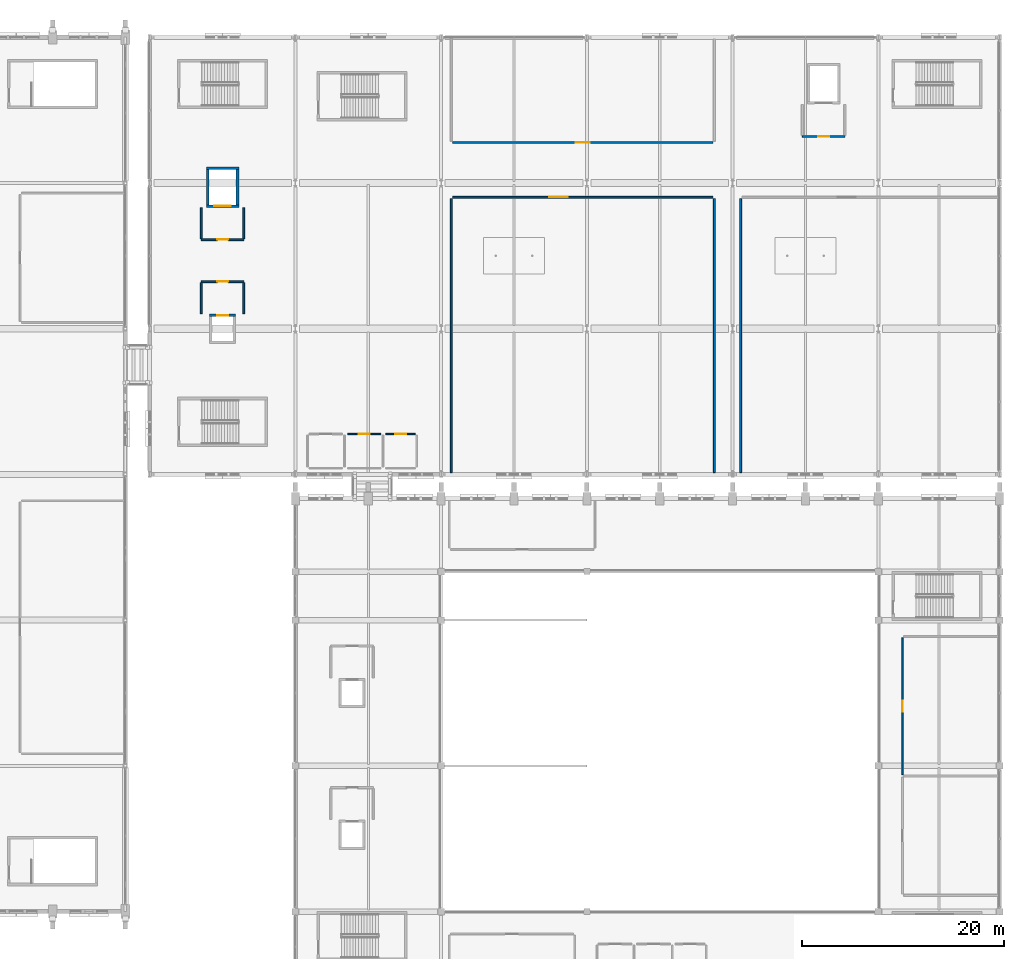
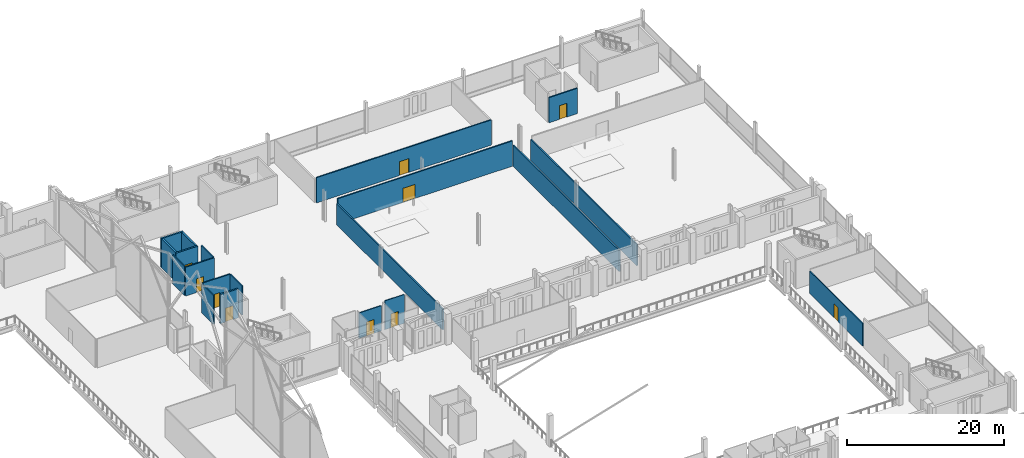
# One storey, part 167 of 220: 20 walls, 10 doors, 10 openings.
"""IFC4 building model written with IfcOpenShell, lengths in metres."""

from ifc_helpers import new_model, si_unit, direction, frame, frame_2d, origin, place, context, subcontext, project, spatial, rectangle, extrude, material, layer, layer_set, type_object, element, fill, save


model = new_model("IFC4")

# Units and contexts
model_context = context("Model", 3, precision=1e-05, world=origin(), true_north=direction((0.0, 1.0)))
body_context = subcontext(model_context, "Body", "Model", "MODEL_VIEW")
ifc_project = project(units=[si_unit("LENGTHUNIT", "METRE"), si_unit("AREAUNIT", "SQUARE_METRE"), si_unit("VOLUMEUNIT", "CUBIC_METRE"), si_unit("PLANEANGLEUNIT", "RADIAN"), si_unit("MASSUNIT", "GRAM", prefix="KILO")], contexts=[model_context])

# Site, building, storey
site_placement = place(None, origin())
site = spatial("IfcSite", under=ifc_project, at=site_placement, CompositionType="ELEMENT")
building_placement = place(site_placement, origin())
building = spatial("IfcBuilding", under=site, at=building_placement, Name="Cendralis Lancet Convention Centre", CompositionType="ELEMENT")
storey_placement = place(building_placement, frame((0.0, 0.0, 5.39990234375)))
storey = spatial("IfcBuildingStorey", under=building, at=storey_placement, Name="L01", CompositionType="ELEMENT", Elevation=5.39990234375)

# Wall, opening, door
ifc_material_1 = material(Name="Acoustic fire-rated gypsum board on steel studs", Category="steel")
ifc_layer_1 = layer(ifc_material_1, 0.1201171875, Name="Acoustic fire-rated gypsum board on steel studs")
ifc_layer_set_1 = layer_set([ifc_layer_1], Name="Acoustic fire-rated gypsum board on steel studs")
wall_type_1 = type_object("IfcWallType", Name="ARC-IW-P120", PredefinedType="PARTITIONING", material=ifc_layer_set_1)
wall_1_placement = place(storey_placement, frame((144.35009765625, 97.60009765625, 0.0), z_axis=(0.0, 0.0, 1.0), x_axis=(1.0, 0.0, 0.0)))
wall_1 = element("IfcWall", 1, at=wall_1_placement, inside=storey, type_object=wall_type_1, Name="L01 Interior Partition IW-05 #0172", PredefinedType="PARTITIONING", context=body_context, shape_type="SweptSolid", body=[
    extrude(rectangle(XDim=3.2998046875, YDim=0.1201171875, at=frame_2d((1.64990234375, 0.0))), origin(), (0.0, 0.0, 1.0), 3.93505859375),
])
opening_1_placement = place(wall_1_placement, frame((1.10009765625, 0.0, 0.0)))
opening_1 = element("IfcOpeningElement", 2, at=opening_1_placement, cuts=wall_1, Name="Opening FD-11", PredefinedType="OPENING", context=body_context, shape_type="SweptSolid", body=[
    extrude(rectangle(XDim=1.10009765625, YDim=2.14990234375, at=frame_2d((0.550048828125, 1.074951171875))), frame((0.0, 0.070068359375, 0.0), z_axis=(0.0, -1.0, 0.0), x_axis=(1.0, 0.0, 0.0)), (0.0, 0.0, 1.0), 0.14013671875),
])
ifc_material_2 = material(Name="Steel S355", Category="steel")
door_type_1 = type_object("IfcDoorType", Name="ARC-DR-FF11", OperationType="NOTDEFINED", PredefinedType="DOOR", material=ifc_material_2)
door_1_placement = place(opening_1_placement, frame((1.10009765625, 0.0, 0.0), z_axis=(0.0, 0.0, 1.0), x_axis=(-1.0, 0.0, 0.0)))
door_1 = element("IfcDoor", 3, at=door_1_placement, inside=storey, type_object=door_type_1, Name="L01-D022 L01 Interior Door FD-11 #0057", OperationType="SINGLE_SWING_RIGHT", OverallHeight=2.14990234375, OverallWidth=1.10009765625, PredefinedType="DOOR", context=body_context, shape_type="SweptSolid", body=[
    extrude(rectangle(XDim=1.10009765625, YDim=2.14990234375, at=frame_2d((0.550048828125, 1.074951171875))), frame((0.0, 0.02490234375, 0.0), z_axis=(0.0, -1.0, 0.0), x_axis=(1.0, 0.0, 0.0)), (0.0, 0.0, 1.0), 0.050048828125),
])
fill(opening_1, door_1)

wall_2_placement = place(storey_placement, frame((148.14990234375, 97.60009765625, 0.0), z_axis=(0.0, 0.0, 1.0), x_axis=(1.0, 0.0, 0.0)))
wall_2 = element("IfcWall", 4, at=wall_2_placement, inside=storey, type_object=wall_type_1, Name="L01 Interior Partition IW-05 #0175", PredefinedType="PARTITIONING", context=body_context, shape_type="SweptSolid", body=[
    extrude(rectangle(XDim=2.900146484375, YDim=0.1201171875, at=frame_2d((1.4501953125, 0.0))), origin(), (0.0, 0.0, 1.0), 4.485107421875),
])
opening_2_placement = place(wall_2_placement, frame((0.89990234375, 0.0, 0.0)))
opening_2 = element("IfcOpeningElement", 5, at=opening_2_placement, cuts=wall_2, Name="Opening FD-11", PredefinedType="OPENING", context=body_context, shape_type="SweptSolid", body=[
    extrude(rectangle(XDim=1.10009765625, YDim=2.14990234375, at=frame_2d((0.550048828125, 1.074951171875))), frame((0.0, 0.070068359375, 0.0), z_axis=(0.0, -1.0, 0.0), x_axis=(1.0, 0.0, 0.0)), (0.0, 0.0, 1.0), 0.14013671875),
])
door_2_placement = place(opening_2_placement, origin())
door_2 = element("IfcDoor", 6, at=door_2_placement, inside=storey, type_object=door_type_1, Name="L01-D023 L01 Interior Door FD-11 #0058", OperationType="SINGLE_SWING_LEFT", OverallHeight=2.14990234375, OverallWidth=1.10009765625, PredefinedType="DOOR", context=body_context, shape_type="SweptSolid", body=[
    extrude(rectangle(XDim=1.10009765625, YDim=2.14990234375, at=frame_2d((0.550048828125, 1.074951171875))), frame((0.0, 0.02490234375, 0.0), z_axis=(0.0, -1.0, 0.0), x_axis=(1.0, 0.0, 0.0)), (0.0, 0.0, 1.0), 0.050048828125),
])
fill(opening_2, door_2)

ifc_layer_2 = layer(ifc_material_1, 0.139892578125, Name="Acoustic fire-rated gypsum board on steel studs")
ifc_layer_set_2 = layer_set([ifc_layer_2], Name="Acoustic fire-rated gypsum board on steel studs")
wall_type_2 = type_object("IfcWallType", Name="ARC-IW-P140", PredefinedType="PARTITIONING", material=ifc_layer_set_2)
wall_3_placement = place(storey_placement, frame((199.199951171875, 63.93994140625, 0.0), z_axis=(0.0, 0.0, 1.0), x_axis=(0.0, 1.0, 0.0)))
wall_3 = element("IfcWall", 7, at=wall_3_placement, inside=storey, type_object=wall_type_2, Name="L01 Interior Partition IW-04 #0089", PredefinedType="PARTITIONING", context=body_context, shape_type="SweptSolid", body=[
    extrude(rectangle(XDim=13.52001953125, YDim=0.139892578125, at=frame_2d((6.760009765625, 0.0))), origin(), (0.0, 0.0, 1.0), 3.485107421875),
])
opening_3_placement = place(wall_3_placement, frame((6.2099609375, 0.0, 0.0)))
opening_3 = element("IfcOpeningElement", 8, at=opening_3_placement, cuts=wall_3, Name="Opening FD-11", PredefinedType="OPENING", context=body_context, shape_type="SweptSolid", body=[
    extrude(rectangle(XDim=1.10009765625, YDim=2.14990234375, at=frame_2d((0.550048828125, 1.074951171875))), frame((0.0, 0.079833984375, 0.0), z_axis=(0.0, -1.0, 0.0), x_axis=(1.0, 0.0, 0.0)), (0.0, 0.0, 1.0), 0.159912109375),
])
door_3_placement = place(opening_3_placement, frame((1.10009765625, 0.0, 0.0), z_axis=(0.0, 0.0, 1.0), x_axis=(-1.0, 0.0, 0.0)))
door_3 = element("IfcDoor", 9, at=door_3_placement, inside=storey, type_object=door_type_1, Name="L01-D014 L01 Interior Door FD-11 #0029", OperationType="SINGLE_SWING_LEFT", OverallHeight=2.14990234375, OverallWidth=1.10009765625, PredefinedType="DOOR", context=body_context, shape_type="SweptSolid", body=[
    extrude(rectangle(XDim=1.10009765625, YDim=2.14990234375, at=frame_2d((0.550048828125, 1.074951171875))), frame((0.0, 0.02490234375, 0.0), z_axis=(0.0, -1.0, 0.0), x_axis=(1.0, 0.0, 0.0)), (0.0, 0.0, 1.0), 0.050048828125),
])
fill(opening_3, door_3)

ifc_layer_3 = layer(ifc_material_1, 0.179931640625, Name="Acoustic fire-rated gypsum board on steel studs")
ifc_layer_set_3 = layer_set([ifc_layer_3], Name="Acoustic fire-rated gypsum board on steel studs")
wall_type_3 = type_object("IfcWallType", Name="ARC-IW-P180", PredefinedType="PARTITIONING", material=ifc_layer_set_3)
wall_4_placement = place(storey_placement, frame((129.89990234375, 112.64990234375, 0.0), z_axis=(0.0, 0.0, 1.0), x_axis=(1.0, 0.0, 0.0)))
wall_4 = element("IfcWall", 10, at=wall_4_placement, inside=storey, type_object=wall_type_3, Name="L01 Lift Lobby LP-07 Front Wall", PredefinedType="PARTITIONING", context=body_context, shape_type="SweptSolid", body=[
    extrude(rectangle(XDim=4.2001953125, YDim=0.179931640625, at=frame_2d((2.10009765625, 0.0))), origin(), (0.0, 0.0, 1.0), 4.5),
])
opening_4_placement = place(wall_4_placement, frame((1.550048828125, 0.0, 0.0)))
opening_4 = element("IfcOpeningElement", 11, at=opening_4_placement, cuts=wall_4, Name="Opening FD-11", PredefinedType="OPENING", context=body_context, shape_type="SweptSolid", body=[
    extrude(rectangle(XDim=1.10009765625, YDim=2.14990234375, at=frame_2d((0.550048828125, 1.074951171875))), frame((0.0, 0.099853515625, 0.0), z_axis=(0.0, -1.0, 0.0), x_axis=(1.0, 0.0, 0.0)), (0.0, 0.0, 1.0), 0.199951171875),
])
door_4_placement = place(opening_4_placement, origin())
door_4 = element("IfcDoor", 12, at=door_4_placement, inside=storey, type_object=door_type_1, Name="L01-D066 L01 Lift Lobby LP-07 Fire Door", OperationType="SINGLE_SWING_LEFT", OverallHeight=2.14990234375, OverallWidth=1.10009765625, PredefinedType="DOOR", context=body_context, shape_type="SweptSolid", body=[
    extrude(rectangle(XDim=1.10009765625, YDim=2.14990234375, at=frame_2d((0.550048828125, 1.074951171875))), frame((0.0, 0.02490234375, 0.0), z_axis=(0.0, -1.0, 0.0), x_axis=(1.0, 0.0, 0.0)), (0.0, 0.0, 1.0), 0.050048828125),
])
fill(opening_4, door_4)

# Walls
for number, where, z_axis, x_axis, name in (
    (13, (129.89990234375, 109.5, 0.0), (0.0, 0.0, 1.0), (0.0, 1.0, 0.0), "L01 Lift Lobby LP-07 West Wall"),
    (14, (134.10009765625, 109.5, 0.0), (0.0, 0.0, 1.0), (0.0, 1.0, 0.0), "L01 Lift Lobby LP-07 East Wall"),
):
    element("IfcWall", number, at=place(storey_placement, frame(where, z_axis=z_axis, x_axis=x_axis)), inside=storey, type_object=wall_type_3, Name=name, PredefinedType="PARTITIONING", context=body_context, shape_type="SweptSolid", body=[
        extrude(rectangle(XDim=3.050048828125, YDim=0.179931640625, at=frame_2d((1.52490234375, 0.0))), origin(), (0.0, 0.0, 1.0), 4.5),
    ])

# Wall, opening, door
wall_5_placement = place(storey_placement, frame((134.10009765625, 116.800048828125, 0.0), z_axis=(0.0, 0.0, 1.0), x_axis=(-1.0, 0.0, 0.0)))
wall_5 = element("IfcWall", 15, at=wall_5_placement, inside=storey, type_object=wall_type_3, Name="L01 Lift Lobby LG-02 Front Wall", PredefinedType="PARTITIONING", context=body_context, shape_type="SweptSolid", body=[
    extrude(rectangle(XDim=4.2001953125, YDim=0.179931640625, at=frame_2d((2.10009765625, 0.0))), origin(), (0.0, 0.0, 1.0), 4.5),
])
opening_5_placement = place(wall_5_placement, frame((1.550048828125, 0.0, 0.0)))
opening_5 = element("IfcOpeningElement", 16, at=opening_5_placement, cuts=wall_5, Name="Opening FD-11", PredefinedType="OPENING", context=body_context, shape_type="SweptSolid", body=[
    extrude(rectangle(XDim=1.10009765625, YDim=2.14990234375, at=frame_2d((0.550048828125, 1.074951171875))), frame((0.0, 0.099853515625, 0.0), z_axis=(0.0, -1.0, 0.0), x_axis=(1.0, 0.0, 0.0)), (0.0, 0.0, 1.0), 0.199951171875),
])
door_5_placement = place(opening_5_placement, origin())
door_5 = element("IfcDoor", 17, at=door_5_placement, inside=storey, type_object=door_type_1, Name="L01-D057 L01 Lift Lobby LG-02 Fire Door", OperationType="SINGLE_SWING_LEFT", OverallHeight=2.14990234375, OverallWidth=1.10009765625, PredefinedType="DOOR", context=body_context, shape_type="SweptSolid", body=[
    extrude(rectangle(XDim=1.10009765625, YDim=2.14990234375, at=frame_2d((0.550048828125, 1.074951171875))), frame((0.0, 0.02490234375, 0.0), z_axis=(0.0, -1.0, 0.0), x_axis=(1.0, 0.0, 0.0)), (0.0, 0.0, 1.0), 0.050048828125),
])
fill(opening_5, door_5)

# Walls
for number, where, z_axis, x_axis, name in (
    (18, (129.89990234375, 116.89990234375, 0.0), (0.0, 0.0, 1.0), (0.0, 1.0, 0.0), "L01 Lift Lobby LG-02 West Wall"),
    (19, (134.10009765625, 116.89990234375, 0.0), (0.0, 0.0, 1.0), (0.0, 1.0, 0.0), "L01 Lift Lobby LG-02 East Wall"),
):
    element("IfcWall", number, at=place(storey_placement, frame(where, z_axis=z_axis, x_axis=x_axis)), inside=storey, type_object=wall_type_3, Name=name, PredefinedType="PARTITIONING", context=body_context, shape_type="SweptSolid", body=[
        extrude(rectangle(XDim=3.050048828125, YDim=0.179931640625, at=frame_2d((1.52490234375, 0.0))), origin(), (0.0, 0.0, 1.0), 4.5),
    ])

# Wall, opening, door
wall_6_placement = place(storey_placement, frame((193.5, 127.0, 0.0), z_axis=(0.0, 0.0, 1.0), x_axis=(-1.0, 0.0, 0.0)))
wall_6 = element("IfcWall", 20, at=wall_6_placement, inside=storey, type_object=wall_type_3, Name="L01 Lift Lobby LG-03 Front Wall", PredefinedType="PARTITIONING", context=body_context, shape_type="SweptSolid", body=[
    extrude(rectangle(XDim=4.199951171875, YDim=0.179931640625, at=frame_2d((2.10009765625, 0.0))), origin(), (0.0, 0.0, 1.0), 3.93505859375),
])
opening_6_placement = place(wall_6_placement, frame((1.550048828125, 0.0, 0.0)))
opening_6 = element("IfcOpeningElement", 21, at=opening_6_placement, cuts=wall_6, Name="Opening FD-11", PredefinedType="OPENING", context=body_context, shape_type="SweptSolid", body=[
    extrude(rectangle(XDim=1.10009765625, YDim=2.14990234375, at=frame_2d((0.550048828125, 1.074951171875))), frame((0.0, 0.099853515625, 0.0), z_axis=(0.0, -1.0, 0.0), x_axis=(1.0, 0.0, 0.0)), (0.0, 0.0, 1.0), 0.199951171875),
])
door_6_placement = place(opening_6_placement, origin())
door_6 = element("IfcDoor", 22, at=door_6_placement, inside=storey, type_object=door_type_1, Name="L01-D058 L01 Lift Lobby LG-03 Fire Door", OperationType="SINGLE_SWING_LEFT", OverallHeight=2.14990234375, OverallWidth=1.10009765625, PredefinedType="DOOR", context=body_context, shape_type="SweptSolid", body=[
    extrude(rectangle(XDim=1.10009765625, YDim=2.14990234375, at=frame_2d((0.550048828125, 1.074951171875))), frame((0.0, 0.02490234375, 0.0), z_axis=(0.0, -1.0, 0.0), x_axis=(1.0, 0.0, 0.0)), (0.0, 0.0, 1.0), 0.050048828125),
])
fill(opening_6, door_6)

wall_7_placement = place(storey_placement, frame((154.739990234375, 121.0, 0.0), z_axis=(0.0, 0.0, 1.0), x_axis=(1.0, 0.0, 0.0)))
wall_7 = element("IfcWall", 23, at=wall_7_placement, inside=storey, type_object=wall_type_3, Name="L01 Interior Partition IW-02 #0160", PredefinedType="PARTITIONING", context=body_context, shape_type="SweptSolid", body=[
    extrude(rectangle(XDim=25.719970703125, YDim=0.179931640625, at=frame_2d((12.85986328125, 0.0))), origin(), (0.0, 0.0, 1.0), 3.93505859375),
])
opening_7_placement = place(wall_7_placement, frame((9.568115234375, 0.0, 0.0)))
opening_7 = element("IfcOpeningElement", 24, at=opening_7_placement, cuts=wall_7, Name="Opening ID-18", PredefinedType="OPENING", context=body_context, shape_type="SweptSolid", body=[
    extrude(rectangle(XDim=1.800048828125, YDim=2.199951171875, at=frame_2d((0.89990234375, 1.10009765625))), frame((0.0, 0.099853515625, 0.0), z_axis=(0.0, -1.0, 0.0), x_axis=(1.0, 0.0, 0.0)), (0.0, 0.0, 1.0), 0.199951171875),
])
ifc_material_3 = material(Name="Acoustic Chilean lenga timber and steel fire leaf", Category="steel")
door_type_2 = type_object("IfcDoorType", Name="ARC-DR-DB18", OperationType="NOTDEFINED", PredefinedType="DOOR", material=ifc_material_3)
door_7_placement = place(opening_7_placement, frame((1.800048828125, 0.0, 0.0), z_axis=(0.0, 0.0, 1.0), x_axis=(-1.0, 0.0, 0.0)))
door_7 = element("IfcDoor", 25, at=door_7_placement, inside=storey, type_object=door_type_2, Name="L01-D018 L01 Interior Door ID-18 #0053", OperationType="DOUBLE_DOOR_SINGLE_SWING", OverallHeight=2.199951171875, OverallWidth=1.800048828125, PredefinedType="DOOR", context=body_context, shape_type="SweptSolid", body=[
    extrude(rectangle(XDim=1.800048828125, YDim=2.199951171875, at=frame_2d((0.89990234375, 1.10009765625))), frame((0.0, 0.02490234375, 0.0), z_axis=(0.0, -1.0, 0.0), x_axis=(1.0, 0.0, 0.0)), (0.0, 0.0, 1.0), 0.050048828125),
])
fill(opening_7, door_7)

# Walls
for number, where, z_axis, x_axis, name in (
    (26, (154.60009765625, 93.7900390625, 0.0), (0.0, 0.0, 1.0), (0.0, 1.0, 0.0), "L01 Interior Partition IW-02 #0161"),
    (27, (180.60009765625, 93.7900390625, 0.0), (0.0, 0.0, 1.0), (0.0, 1.0, 0.0), "L01 Interior Partition IW-02 #0162"),
    (28, (183.199951171875, 93.7900390625, 0.0), (0.0, 0.0, 1.0), (0.0, 1.0, 0.0), "L01 Interior Partition IW-02 #0164"),
):
    element("IfcWall", number, at=place(storey_placement, frame(where, z_axis=z_axis, x_axis=x_axis)), inside=storey, type_object=wall_type_3, Name=name, PredefinedType="PARTITIONING", context=body_context, shape_type="SweptSolid", body=[
        extrude(rectangle(XDim=27.070068359375, YDim=0.179931640625, at=frame_2d((13.53515625, 0.0))), origin(), (0.0, 0.0, 1.0), 3.28515625),
    ])

# Wall, opening, door
wall_8_placement = place(storey_placement, frame((154.739990234375, 126.39990234375, 0.0), z_axis=(0.0, 0.0, 1.0), x_axis=(1.0, 0.0, 0.0)))
wall_8 = element("IfcWall", 29, at=wall_8_placement, inside=storey, type_object=wall_type_3, Name="L01 Interior Partition IW-02 #0165", PredefinedType="PARTITIONING", context=body_context, shape_type="SweptSolid", body=[
    extrude(rectangle(XDim=25.719970703125, YDim=0.179931640625, at=frame_2d((12.85986328125, 0.0))), origin(), (0.0, 0.0, 1.0), 3.93505859375),
])
opening_8_placement = place(wall_8_placement, frame((12.159912109375, 0.0, 0.0)))
opening_8 = element("IfcOpeningElement", 30, at=opening_8_placement, cuts=wall_8, Name="Opening ID-14", PredefinedType="OPENING", context=body_context, shape_type="SweptSolid", body=[
    extrude(rectangle(XDim=1.39990234375, YDim=2.14990234375, at=frame_2d((0.699951171875, 1.074951171875))), frame((0.0, 0.099853515625, 0.0), z_axis=(0.0, -1.0, 0.0), x_axis=(1.0, 0.0, 0.0)), (0.0, 0.0, 1.0), 0.199951171875),
])
door_type_3 = type_object("IfcDoorType", Name="ARC-DR-DB14", OperationType="NOTDEFINED", PredefinedType="DOOR", material=ifc_material_3)
door_8_placement = place(opening_8_placement, frame((1.39990234375, 0.0, 0.0), z_axis=(0.0, 0.0, 1.0), x_axis=(-1.0, 0.0, 0.0)))
door_8 = element("IfcDoor", 31, at=door_8_placement, inside=storey, type_object=door_type_3, Name="L01-D020 L01 Interior Door ID-14 #0055", OperationType="DOUBLE_DOOR_SINGLE_SWING", OverallHeight=2.14990234375, OverallWidth=1.39990234375, PredefinedType="DOOR", context=body_context, shape_type="SweptSolid", body=[
    extrude(rectangle(XDim=1.39990234375, YDim=2.14990234375, at=frame_2d((0.699951171875, 1.074951171875))), frame((0.0, 0.02490234375, 0.0), z_axis=(0.0, -1.0, 0.0), x_axis=(1.0, 0.0, 0.0)), (0.0, 0.0, 1.0), 0.050048828125),
])
fill(opening_8, door_8)

ifc_material_4 = material(Name="Concrete G40 (C40/50)", Category="concrete")
ifc_layer_4 = layer(ifc_material_4, 0.25, Name="Concrete G40 (C40/50)")
ifc_layer_set_4 = layer_set([ifc_layer_4], Name="Concrete G40 (C40/50)")
wall_type_4 = type_object("IfcWallType", Name="STR-SW-CW250", PredefinedType="SHEAR", material=ifc_layer_set_4)
wall_9_placement = place(storey_placement, frame((130.699951171875, 109.324951171875, 0.0), z_axis=(0.0, 0.0, 1.0), x_axis=(1.0, 0.0, 0.0)))
wall_9 = element("IfcWall", 32, at=wall_9_placement, inside=storey, type_object=wall_type_4, Name="L01 Lift LP-07 North Shaft Wall", PredefinedType="SHEAR", context=body_context, shape_type="SweptSolid", body=[
    extrude(rectangle(XDim=2.60009765625, YDim=0.25, at=frame_2d((1.300048828125, 0.0))), origin(), (0.0, 0.0, 1.0), 4.5),
])
opening_9_placement = place(wall_9_placement, frame((0.75, 0.0, 0.0)))
opening_9 = element("IfcOpeningElement", 33, at=opening_9_placement, cuts=wall_9, Name="Opening LD-11", PredefinedType="OPENING", context=body_context, shape_type="SweptSolid", body=[
    extrude(rectangle(XDim=1.10009765625, YDim=2.14990234375, at=frame_2d((0.550048828125, 1.074951171875))), frame((0.0, 0.135009765625, 0.0), z_axis=(0.0, -1.0, 0.0), x_axis=(1.0, 0.0, 0.0)), (0.0, 0.0, 1.0), 0.27001953125),
])
ifc_material_5 = material(Name="Anodised bronze architectural aluminium", Category="aluminium")
door_type_4 = type_object("IfcDoorType", Name="ARC-DR-LD11", OperationType="NOTDEFINED", PredefinedType="DOOR", material=ifc_material_5)
door_9_placement = place(opening_9_placement, origin())
door_9 = element("IfcDoor", 34, at=door_9_placement, inside=storey, type_object=door_type_4, Name="L01-D052 L01 Lift LP-07 Sliding Landing Door", OperationType="SLIDING_TO_LEFT", OverallHeight=2.14990234375, OverallWidth=1.10009765625, PredefinedType="DOOR", context=body_context, shape_type="SweptSolid", body=[
    extrude(rectangle(XDim=1.10009765625, YDim=2.14990234375, at=frame_2d((0.550048828125, 1.074951171875))), frame((0.0, 0.02490234375, 0.0), z_axis=(0.0, -1.0, 0.0), x_axis=(1.0, 0.0, 0.0)), (0.0, 0.0, 1.0), 0.050048828125),
])
fill(opening_9, door_9)

wall_10_placement = place(storey_placement, frame((130.39990234375, 120.125, 0.0), z_axis=(0.0, 0.0, 1.0), x_axis=(1.0, 0.0, 0.0)))
wall_10 = element("IfcWall", 35, at=wall_10_placement, inside=storey, type_object=wall_type_4, Name="L01 Lift LG-02 South Shaft Wall", PredefinedType="SHEAR", context=body_context, shape_type="SweptSolid", body=[
    extrude(rectangle(XDim=3.2001953125, YDim=0.25, at=frame_2d((1.60009765625, 0.0))), origin(), (0.0, 0.0, 1.0), 4.5),
])
opening_10_placement = place(wall_10_placement, frame((0.800048828125, 0.0, 0.0)))
opening_10 = element("IfcOpeningElement", 36, at=opening_10_placement, cuts=wall_10, Name="Opening LD-16", PredefinedType="OPENING", context=body_context, shape_type="SweptSolid", body=[
    extrude(rectangle(XDim=1.60009765625, YDim=2.199951171875, at=frame_2d((0.800048828125, 1.10009765625))), frame((0.0, 0.135009765625, 0.0), z_axis=(0.0, -1.0, 0.0), x_axis=(1.0, 0.0, 0.0)), (0.0, 0.0, 1.0), 0.27001953125),
])
door_type_5 = type_object("IfcDoorType", Name="ARC-DR-LD16", OperationType="NOTDEFINED", PredefinedType="DOOR", material=ifc_material_2)
door_10_placement = place(opening_10_placement, origin())
door_10 = element("IfcDoor", 37, at=door_10_placement, inside=storey, type_object=door_type_5, Name="L01-D043 L01 Lift LG-02 Sliding Landing Door", OperationType="SLIDING_TO_RIGHT", OverallHeight=2.199951171875, OverallWidth=1.60009765625, PredefinedType="DOOR", context=body_context, shape_type="SweptSolid", body=[
    extrude(rectangle(XDim=1.60009765625, YDim=2.199951171875, at=frame_2d((0.800048828125, 1.10009765625))), frame((0.0, 0.02490234375, 0.0), z_axis=(0.0, -1.0, 0.0), x_axis=(1.0, 0.0, 0.0)), (0.0, 0.0, 1.0), 0.050048828125),
])
fill(opening_10, door_10)

# Walls
wall_11_placement = place(storey_placement, frame((130.39990234375, 123.875, 0.0), z_axis=(0.0, 0.0, 1.0), x_axis=(1.0, 0.0, 0.0)))
element("IfcWall", 38, at=wall_11_placement, inside=storey, type_object=wall_type_4, Name="L01 Lift LG-02 North Shaft Wall", PredefinedType="SHEAR", context=body_context, shape_type="SweptSolid", body=[
    extrude(rectangle(XDim=3.2001953125, YDim=0.25, at=frame_2d((1.60009765625, 0.0))), origin(), (0.0, 0.0, 1.0), 4.5),
])
for number, where, z_axis, x_axis, name in (
    (39, (130.52490234375, 120.25, 0.0), (0.0, 0.0, 1.0), (0.0, 1.0, 0.0), "L01 Lift LG-02 West Shaft Wall"),
    (40, (133.47509765625, 120.25, 0.0), (0.0, 0.0, 1.0), (0.0, 1.0, 0.0), "L01 Lift LG-02 East Shaft Wall"),
):
    element("IfcWall", number, at=place(storey_placement, frame(where, z_axis=z_axis, x_axis=x_axis)), inside=storey, type_object=wall_type_4, Name=name, PredefinedType="SHEAR", context=body_context, shape_type="SweptSolid", body=[
        extrude(rectangle(XDim=3.5, YDim=0.25, at=frame_2d((1.75, 0.0))), origin(), (0.0, 0.0, 1.0), 4.5),
    ])

save(model, "model.ifc")
